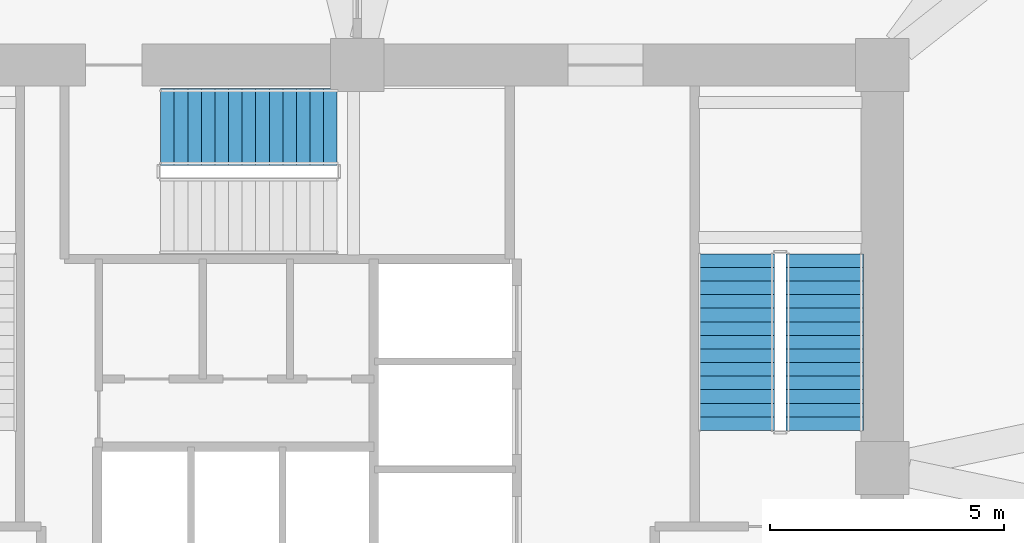
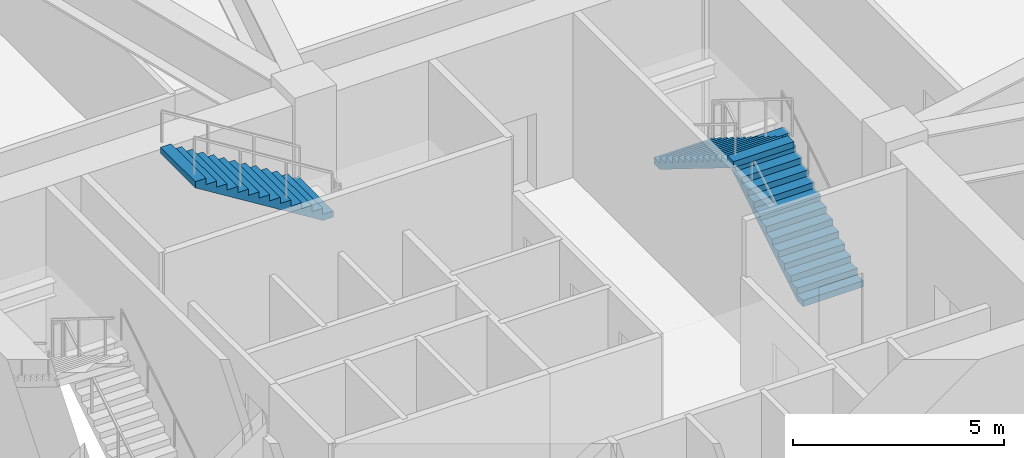
# One storey, part 19 of 21: 3 stair flights, 2 elements without a shape of their own.
"""IFC4 building model written with IfcOpenShell, lengths in metres."""

from ifc_helpers import new_model, si_unit, derived_unit, direction, frame, origin, place, context, subcontext, project, spatial, polyline, outline, extrude, material, type_object, element, aggregate, save


model = new_model("IFC4")

# Units and contexts
model_context = context("Model", 3, precision=1e-05, world=origin(), true_north=direction((0.0, 1.0)))
body_context = subcontext(model_context, "Body", "Model", "MODEL_VIEW")
ifc_project = project(units=[si_unit("LENGTHUNIT", "METRE"), si_unit("AREAUNIT", "SQUARE_METRE"), si_unit("VOLUMEUNIT", "CUBIC_METRE"), si_unit("PLANEANGLEUNIT", "RADIAN"), si_unit("MASSUNIT", "GRAM", prefix="KILO"), derived_unit("THERMALTRANSMITTANCEUNIT", [(si_unit("POWERUNIT", "WATT"), 1), (si_unit("LENGTHUNIT", "METRE"), -2), (si_unit("THERMODYNAMICTEMPERATUREUNIT", "KELVIN"), -1)])], contexts=[model_context])

# Site, building, storey
site_placement = place(None, origin())
site = spatial("IfcSite", under=ifc_project, at=site_placement, CompositionType="ELEMENT")
building_placement = place(site_placement, origin())
building = spatial("IfcBuilding", under=site, at=building_placement, Name="Koralith Skygarden Medical Center", CompositionType="ELEMENT")
storey_placement = place(building_placement, frame((0.0, 0.0, 18.89990234375)))
storey = spatial("IfcBuildingStorey", under=building, at=storey_placement, Name="L04", CompositionType="ELEMENT", Elevation=18.89990234375)

# Stair, stair flights
ifc_material = material(Name="Concrete C45/55", Category="concrete")
stair_type = type_object("IfcStairType", Name="Core Exit Dogleg Concrete Stair", PredefinedType="HALF_TURN_STAIR", material=ifc_material)
stair_1_placement = place(storey_placement, origin())
stair_1 = element("IfcStair", 1, at=stair_1_placement, inside=storey, type_object=stair_type, Name="L04 Smokeproof Exit Stair ST2", PredefinedType="HALF_TURN_STAIR")
stair_flight_type = type_object("IfcStairFlightType", Name="Core Exit Concrete Stair Flight 1650", PredefinedType="STRAIGHT", material=ifc_material)
stair_flight_1_placement = place(storey_placement, frame((46.97509765625, 26.699951171875, 0.0), z_axis=(0.0, 0.0, 1.0), x_axis=(0.0, 1.0, 0.0)))
stair_flight_1 = element("IfcStairFlight", 2, at=stair_flight_1_placement, type_object=stair_flight_type, Name="ST2 flight 1", NumberOfRisers=14, NumberOfTreads=13, PredefinedType="STRAIGHT", RiserHeight=0.18, TreadLength=0.29, context=body_context, shape_type="SweptSolid", body=[
    extrude(outline(polyline([(0.0, 0.0), (0.0, 0.179931640625), (0.2900390625, 0.179931640625), (0.2900390625, 0.360107421875), (0.580078125, 0.360107421875), (0.580078125, 0.5400390625), (0.8701171875, 0.5400390625), (0.8701171875, 0.719970703125), (1.159912109375, 0.719970703125), (1.159912109375, 0.89990234375), (1.449951171875, 0.89990234375), (1.449951171875, 1.080078125), (1.739990234375, 1.080078125), (1.739990234375, 1.260009765625), (2.030029296875, 1.260009765625), (2.030029296875, 1.43994140625), (2.320068359375, 1.43994140625), (2.320068359375, 1.6201171875), (2.610107421875, 1.6201171875), (2.610107421875, 1.800048828125), (2.89990234375, 1.800048828125), (2.89990234375, 1.97998046875), (3.18994140625, 1.97998046875), (3.18994140625, 2.159912109375), (3.47998046875, 2.159912109375), (3.47998046875, 2.340087890625), (3.77001953125, 2.340087890625), (3.77001953125, 2.52001953125), (3.77001953125, 2.16357421875), (0.2841796875, 0.0), (0.0, 0.0)])), frame((0.0, 0.824951171875, 0.0), z_axis=(0.0, -1.0, 0.0), x_axis=(1.0, 0.0, 0.0)), (0.0, 0.0, 1.0), 1.64990234375),
])
stair_flight_2_placement = place(storey_placement, frame((45.074951171875, 30.469970703125, 2.52001953125), z_axis=(0.0, 0.0, 1.0), x_axis=(0.0, -1.0, 0.0)))
stair_flight_2 = element("IfcStairFlight", 3, at=stair_flight_2_placement, type_object=stair_flight_type, Name="ST2 flight 2", NumberOfRisers=14, NumberOfTreads=13, PredefinedType="STRAIGHT", RiserHeight=0.18, TreadLength=0.29, context=body_context, shape_type="SweptSolid", body=[
    extrude(outline(polyline([(0.0, 0.0), (0.0, 0.179931640625), (0.2900390625, 0.179931640625), (0.2900390625, 0.360107421875), (0.580078125, 0.360107421875), (0.580078125, 0.5400390625), (0.8701171875, 0.5400390625), (0.8701171875, 0.719970703125), (1.159912109375, 0.719970703125), (1.159912109375, 0.89990234375), (1.449951171875, 0.89990234375), (1.449951171875, 1.080078125), (1.739990234375, 1.080078125), (1.739990234375, 1.260009765625), (2.030029296875, 1.260009765625), (2.030029296875, 1.43994140625), (2.320068359375, 1.43994140625), (2.320068359375, 1.6201171875), (2.610107421875, 1.6201171875), (2.610107421875, 1.800048828125), (2.89990234375, 1.800048828125), (2.89990234375, 1.97998046875), (3.18994140625, 1.97998046875), (3.18994140625, 2.159912109375), (3.47998046875, 2.159912109375), (3.47998046875, 2.340087890625), (3.77001953125, 2.340087890625), (3.77001953125, 2.52001953125), (3.77001953125, 2.16357421875), (0.2841796875, 0.0), (0.0, 0.0)])), frame((0.0, 0.824951171875, 0.0), z_axis=(0.0, -1.0, 0.0), x_axis=(1.0, 0.0, 0.0)), (0.0, 0.0, 1.0), 1.64990234375),
])
aggregate(stair_1, [stair_flight_1, stair_flight_2])

# Stair, stair flight
stair_2_placement = place(storey_placement, origin())
stair_2 = element("IfcStair", 4, at=stair_2_placement, inside=storey, type_object=stair_type, Name="L04 Smokeproof Exit Stair ST3", PredefinedType="HALF_TURN_STAIR")
stair_flight_3_placement = place(storey_placement, frame((36.570068359375, 33.175048828125, 2.52001953125), z_axis=(0.0, 0.0, 1.0), x_axis=(-1.0, 0.0, 0.0)))
stair_flight_3 = element("IfcStairFlight", 5, at=stair_flight_3_placement, type_object=stair_flight_type, Name="ST3 flight 2", NumberOfRisers=14, NumberOfTreads=13, PredefinedType="STRAIGHT", RiserHeight=0.18, TreadLength=0.29, context=body_context, shape_type="SweptSolid", body=[
    extrude(outline(polyline([(0.0, 0.0), (0.0, 0.179931640625), (0.2900390625, 0.179931640625), (0.2900390625, 0.360107421875), (0.580078125, 0.360107421875), (0.580078125, 0.5400390625), (0.8701171875, 0.5400390625), (0.8701171875, 0.719970703125), (1.159912109375, 0.719970703125), (1.159912109375, 0.89990234375), (1.449951171875, 0.89990234375), (1.449951171875, 1.080078125), (1.739990234375, 1.080078125), (1.739990234375, 1.260009765625), (2.030029296875, 1.260009765625), (2.030029296875, 1.43994140625), (2.320068359375, 1.43994140625), (2.320068359375, 1.6201171875), (2.610107421875, 1.6201171875), (2.610107421875, 1.800048828125), (2.89990234375, 1.800048828125), (2.89990234375, 1.97998046875), (3.18994140625, 1.97998046875), (3.18994140625, 2.159912109375), (3.47998046875, 2.159912109375), (3.47998046875, 2.340087890625), (3.77001953125, 2.340087890625), (3.77001953125, 2.52001953125), (3.77001953125, 2.16357421875), (0.2841796875, 0.0), (0.0, 0.0)])), frame((0.0, 0.824951171875, 0.0), z_axis=(0.0, -1.0, 0.0), x_axis=(1.0, 0.0, 0.0)), (0.0, 0.0, 1.0), 1.64990234375),
])
aggregate(stair_2, [stair_flight_3])

save(model, "model.ifc")
